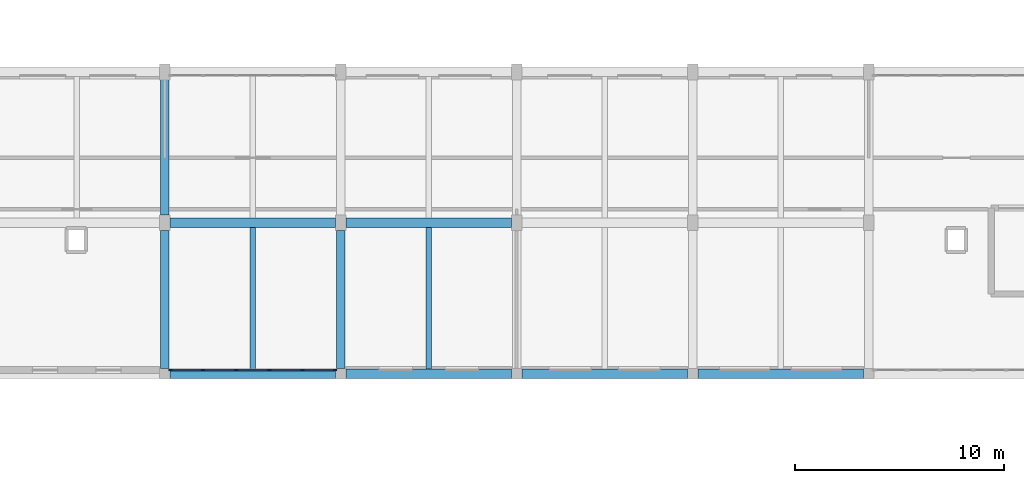
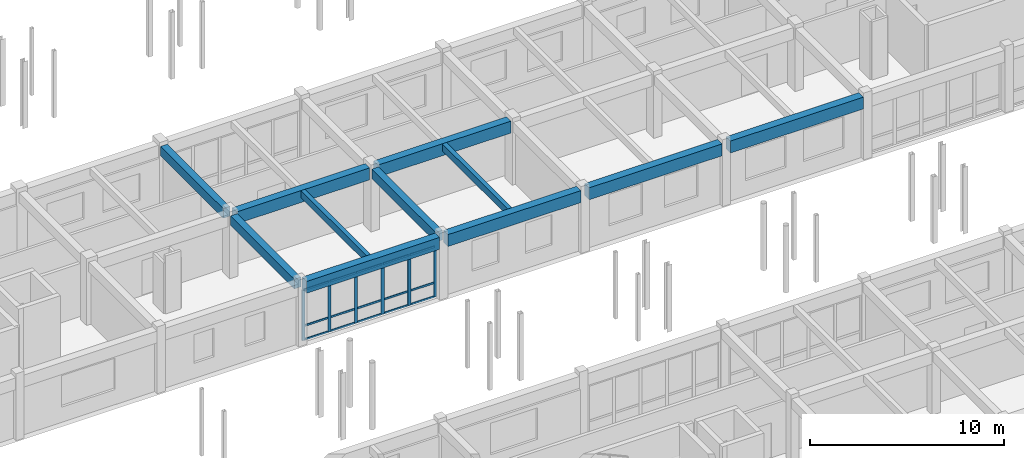
# One storey, part 40 of 90: 21 members, 11 beams, 1 element without a shape of its own.
"""IFC4 building model written with IfcOpenShell, lengths in metres."""

from ifc_helpers import new_model, si_unit, direction, frame, origin, origin_2d, place, context, subcontext, project, spatial, rectangle, extrude, material, material_profile, profile_set, type_object, element, aggregate, save


model = new_model("IFC4")

# Units and contexts
model_context = context("Model", 3, precision=1e-05, world=origin(), true_north=direction((0.0, 1.0)))
body_context = subcontext(model_context, "Body", "Model", "MODEL_VIEW")
ifc_project = project(units=[si_unit("LENGTHUNIT", "METRE"), si_unit("AREAUNIT", "SQUARE_METRE"), si_unit("VOLUMEUNIT", "CUBIC_METRE"), si_unit("PLANEANGLEUNIT", "RADIAN"), si_unit("MASSUNIT", "GRAM", prefix="KILO")], contexts=[model_context])

# Site, building, storey
site_placement = place(None, origin())
site = spatial("IfcSite", under=ifc_project, at=site_placement, CompositionType="ELEMENT")
building_placement = place(site_placement, origin())
building = spatial("IfcBuilding", under=site, at=building_placement, Name="Malvenik Polytechnic", CompositionType="ELEMENT")
storey_placement = place(building_placement, frame((0.0, 0.0, 9.300048828125)))
storey = spatial("IfcBuildingStorey", under=building, at=storey_placement, Name="L02", CompositionType="ELEMENT", Elevation=9.300048828125)

# Curtain wall, members
ifc_material_1 = material(Name="Anodised aluminium 6060-T6", Category="aluminium")
curtain_wall_type = type_object("IfcCurtainWallType", Name="ARC-CW-CW-03", PredefinedType="NOTDEFINED", material=ifc_material_1)
curtain_wall_placement = place(storey_placement, origin())
curtain_wall = element("IfcCurtainWall", 1, at=curtain_wall_placement, inside=storey, type_object=curtain_wall_type, Name="Unitised Curtain Wall CW-03 L02 #151", PredefinedType="NOTDEFINED")
ifc_material_2 = material(Name="Anodised aluminium", Category="aluminium")
ifc_material_profile_1 = material_profile(ifc_material_2, rectangle(XDim=0.06005859375, YDim=0.179931640625, at=origin_2d()), Name="ALU MULLION 60x180")
ifc_profile_set_1 = profile_set([ifc_material_profile_1], Name="Anodised aluminium")
member_type_1 = type_object("IfcMemberType", Name="ARC-CWM-180", PredefinedType="MULLION", material=ifc_profile_set_1)
member_1_placement = place(storey_placement, frame((41.721923828125, 79.3701171875, 0.0), z_axis=(0.0, 0.0, 1.0), x_axis=(0.0, -1.0, 0.0)))
member_1 = element("IfcMember", 2, at=member_1_placement, type_object=member_type_1, Name="CW-03 mullion 1", PredefinedType="MULLION", context=body_context, shape_type="SweptSolid", body=[
    extrude(rectangle(XDim=0.06005859375, YDim=0.179931640625, at=origin_2d()), origin(), (0.0, 0.0, 1.0), 3.179931640625),
])
member_2_placement = place(storey_placement, frame((40.171142578125, 79.3701171875, 0.0), z_axis=(0.0, 0.0, 1.0), x_axis=(0.0, -1.0, 0.0)))
member_2 = element("IfcMember", 3, at=member_2_placement, type_object=member_type_1, Name="CW-03 mullion 2", PredefinedType="MULLION", context=body_context, shape_type="SweptSolid", body=[
    extrude(rectangle(XDim=0.06005859375, YDim=0.179931640625, at=origin_2d()), origin(), (0.0, 0.0, 1.0), 3.179931640625),
])
member_3_placement = place(storey_placement, frame((38.59033203125, 79.3701171875, 0.0), z_axis=(0.0, 0.0, 1.0), x_axis=(0.0, -1.0, 0.0)))
member_3 = element("IfcMember", 4, at=member_3_placement, type_object=member_type_1, Name="CW-03 mullion 3", PredefinedType="MULLION", context=body_context, shape_type="SweptSolid", body=[
    extrude(rectangle(XDim=0.06005859375, YDim=0.179931640625, at=origin_2d()), origin(), (0.0, 0.0, 1.0), 3.179931640625),
])
member_4_placement = place(storey_placement, frame((37.009521484375, 79.3701171875, 0.0), z_axis=(0.0, 0.0, 1.0), x_axis=(0.0, -1.0, 0.0)))
member_4 = element("IfcMember", 5, at=member_4_placement, type_object=member_type_1, Name="CW-03 mullion 4", PredefinedType="MULLION", context=body_context, shape_type="SweptSolid", body=[
    extrude(rectangle(XDim=0.06005859375, YDim=0.179931640625, at=origin_2d()), origin(), (0.0, 0.0, 1.0), 3.179931640625),
])
member_5_placement = place(storey_placement, frame((35.4287109375, 79.3701171875, 0.0), z_axis=(0.0, 0.0, 1.0), x_axis=(0.0, -1.0, 0.0)))
member_5 = element("IfcMember", 6, at=member_5_placement, type_object=member_type_1, Name="CW-03 mullion 5", PredefinedType="MULLION", context=body_context, shape_type="SweptSolid", body=[
    extrude(rectangle(XDim=0.06005859375, YDim=0.179931640625, at=origin_2d()), origin(), (0.0, 0.0, 1.0), 3.179931640625),
])
member_6_placement = place(storey_placement, frame((33.8779296875, 79.3701171875, 0.0), z_axis=(0.0, 0.0, 1.0), x_axis=(0.0, -1.0, 0.0)))
member_6 = element("IfcMember", 7, at=member_6_placement, type_object=member_type_1, Name="CW-03 mullion 6", PredefinedType="MULLION", context=body_context, shape_type="SweptSolid", body=[
    extrude(rectangle(XDim=0.06005859375, YDim=0.179931640625, at=origin_2d()), origin(), (0.0, 0.0, 1.0), 3.179931640625),
])
ifc_material_profile_2 = material_profile(ifc_material_2, rectangle(XDim=0.06005859375, YDim=0.1201171875, at=origin_2d()), Name="ALU TRANSOM 60x120")
ifc_profile_set_2 = profile_set([ifc_material_profile_2], Name="Anodised aluminium")
member_type_2 = type_object("IfcMemberType", Name="ARC-CWT-120", PredefinedType="USERDEFINED", material=ifc_profile_set_2)
member_7_placement = place(storey_placement, frame((41.69189453125, 79.3701171875, 0.030029296875), z_axis=(-1.0, 0.0, 0.0), x_axis=(0.0, -1.0, 0.0)))
member_7 = element("IfcMember", 8, at=member_7_placement, type_object=member_type_2, Name="CW-03 transom 1.1", ObjectType="TRANSOM", PredefinedType="USERDEFINED", context=body_context, shape_type="SweptSolid", body=[
    extrude(rectangle(XDim=0.06005859375, YDim=0.1201171875, at=origin_2d()), origin(), (0.0, 0.0, 1.0), 1.49072265625),
])
member_8_placement = place(storey_placement, frame((41.69189453125, 79.3701171875, 0.89990234375), z_axis=(-1.0, 0.0, 0.0), x_axis=(0.0, -1.0, 0.0)))
member_8 = element("IfcMember", 9, at=member_8_placement, type_object=member_type_2, Name="CW-03 transom 1.2", ObjectType="TRANSOM", PredefinedType="USERDEFINED", context=body_context, shape_type="SweptSolid", body=[
    extrude(rectangle(XDim=0.06005859375, YDim=0.1201171875, at=origin_2d()), origin(), (0.0, 0.0, 1.0), 1.49072265625),
])
member_9_placement = place(storey_placement, frame((41.69189453125, 79.3701171875, 3.14990234375), z_axis=(-1.0, 0.0, 0.0), x_axis=(0.0, -1.0, 0.0)))
member_9 = element("IfcMember", 10, at=member_9_placement, type_object=member_type_2, Name="CW-03 transom 1.3", ObjectType="TRANSOM", PredefinedType="USERDEFINED", context=body_context, shape_type="SweptSolid", body=[
    extrude(rectangle(XDim=0.06005859375, YDim=0.1201171875, at=origin_2d()), origin(), (0.0, 0.0, 1.0), 1.49072265625),
])
member_10_placement = place(storey_placement, frame((40.14111328125, 79.3701171875, 0.030029296875), z_axis=(-1.0, 0.0, 0.0), x_axis=(0.0, -1.0, 0.0)))
member_10 = element("IfcMember", 11, at=member_10_placement, type_object=member_type_2, Name="CW-03 transom 2.1", ObjectType="TRANSOM", PredefinedType="USERDEFINED", context=body_context, shape_type="SweptSolid", body=[
    extrude(rectangle(XDim=0.06005859375, YDim=0.1201171875, at=origin_2d()), origin(), (0.0, 0.0, 1.0), 1.520751953125),
])
member_11_placement = place(storey_placement, frame((40.14111328125, 79.3701171875, 0.89990234375), z_axis=(-1.0, 0.0, 0.0), x_axis=(0.0, -1.0, 0.0)))
member_11 = element("IfcMember", 12, at=member_11_placement, type_object=member_type_2, Name="CW-03 transom 2.2", ObjectType="TRANSOM", PredefinedType="USERDEFINED", context=body_context, shape_type="SweptSolid", body=[
    extrude(rectangle(XDim=0.06005859375, YDim=0.1201171875, at=origin_2d()), origin(), (0.0, 0.0, 1.0), 1.520751953125),
])
member_12_placement = place(storey_placement, frame((40.14111328125, 79.3701171875, 3.14990234375), z_axis=(-1.0, 0.0, 0.0), x_axis=(0.0, -1.0, 0.0)))
member_12 = element("IfcMember", 13, at=member_12_placement, type_object=member_type_2, Name="CW-03 transom 2.3", ObjectType="TRANSOM", PredefinedType="USERDEFINED", context=body_context, shape_type="SweptSolid", body=[
    extrude(rectangle(XDim=0.06005859375, YDim=0.1201171875, at=origin_2d()), origin(), (0.0, 0.0, 1.0), 1.520751953125),
])
member_13_placement = place(storey_placement, frame((38.560302734375, 79.3701171875, 0.030029296875), z_axis=(-1.0, 0.0, 0.0), x_axis=(0.0, -1.0, 0.0)))
member_13 = element("IfcMember", 14, at=member_13_placement, type_object=member_type_2, Name="CW-03 transom 3.1", ObjectType="TRANSOM", PredefinedType="USERDEFINED", context=body_context, shape_type="SweptSolid", body=[
    extrude(rectangle(XDim=0.06005859375, YDim=0.1201171875, at=origin_2d()), origin(), (0.0, 0.0, 1.0), 1.520751953125),
])
member_14_placement = place(storey_placement, frame((38.560302734375, 79.3701171875, 0.89990234375), z_axis=(-1.0, 0.0, 0.0), x_axis=(0.0, -1.0, 0.0)))
member_14 = element("IfcMember", 15, at=member_14_placement, type_object=member_type_2, Name="CW-03 transom 3.2", ObjectType="TRANSOM", PredefinedType="USERDEFINED", context=body_context, shape_type="SweptSolid", body=[
    extrude(rectangle(XDim=0.06005859375, YDim=0.1201171875, at=origin_2d()), origin(), (0.0, 0.0, 1.0), 1.520751953125),
])
member_15_placement = place(storey_placement, frame((38.560302734375, 79.3701171875, 3.14990234375), z_axis=(-1.0, 0.0, 0.0), x_axis=(0.0, -1.0, 0.0)))
member_15 = element("IfcMember", 16, at=member_15_placement, type_object=member_type_2, Name="CW-03 transom 3.3", ObjectType="TRANSOM", PredefinedType="USERDEFINED", context=body_context, shape_type="SweptSolid", body=[
    extrude(rectangle(XDim=0.06005859375, YDim=0.1201171875, at=origin_2d()), origin(), (0.0, 0.0, 1.0), 1.520751953125),
])
member_16_placement = place(storey_placement, frame((36.9794921875, 79.3701171875, 0.030029296875), z_axis=(-1.0, 0.0, 0.0), x_axis=(0.0, -1.0, 0.0)))
member_16 = element("IfcMember", 17, at=member_16_placement, type_object=member_type_2, Name="CW-03 transom 4.1", ObjectType="TRANSOM", PredefinedType="USERDEFINED", context=body_context, shape_type="SweptSolid", body=[
    extrude(rectangle(XDim=0.06005859375, YDim=0.1201171875, at=origin_2d()), origin(), (0.0, 0.0, 1.0), 1.520751953125),
])
member_17_placement = place(storey_placement, frame((36.9794921875, 79.3701171875, 0.89990234375), z_axis=(-1.0, 0.0, 0.0), x_axis=(0.0, -1.0, 0.0)))
member_17 = element("IfcMember", 18, at=member_17_placement, type_object=member_type_2, Name="CW-03 transom 4.2", ObjectType="TRANSOM", PredefinedType="USERDEFINED", context=body_context, shape_type="SweptSolid", body=[
    extrude(rectangle(XDim=0.06005859375, YDim=0.1201171875, at=origin_2d()), origin(), (0.0, 0.0, 1.0), 1.520751953125),
])
member_18_placement = place(storey_placement, frame((36.9794921875, 79.3701171875, 3.14990234375), z_axis=(-1.0, 0.0, 0.0), x_axis=(0.0, -1.0, 0.0)))
member_18 = element("IfcMember", 19, at=member_18_placement, type_object=member_type_2, Name="CW-03 transom 4.3", ObjectType="TRANSOM", PredefinedType="USERDEFINED", context=body_context, shape_type="SweptSolid", body=[
    extrude(rectangle(XDim=0.06005859375, YDim=0.1201171875, at=origin_2d()), origin(), (0.0, 0.0, 1.0), 1.520751953125),
])
member_19_placement = place(storey_placement, frame((35.398681640625, 79.3701171875, 0.030029296875), z_axis=(-1.0, 0.0, 0.0), x_axis=(0.0, -1.0, 0.0)))
member_19 = element("IfcMember", 20, at=member_19_placement, type_object=member_type_2, Name="CW-03 transom 5.1", ObjectType="TRANSOM", PredefinedType="USERDEFINED", context=body_context, shape_type="SweptSolid", body=[
    extrude(rectangle(XDim=0.06005859375, YDim=0.1201171875, at=origin_2d()), origin(), (0.0, 0.0, 1.0), 1.49072265625),
])
member_20_placement = place(storey_placement, frame((35.398681640625, 79.3701171875, 0.89990234375), z_axis=(-1.0, 0.0, 0.0), x_axis=(0.0, -1.0, 0.0)))
member_20 = element("IfcMember", 21, at=member_20_placement, type_object=member_type_2, Name="CW-03 transom 5.2", ObjectType="TRANSOM", PredefinedType="USERDEFINED", context=body_context, shape_type="SweptSolid", body=[
    extrude(rectangle(XDim=0.06005859375, YDim=0.1201171875, at=origin_2d()), origin(), (0.0, 0.0, 1.0), 1.49072265625),
])
member_21_placement = place(storey_placement, frame((35.398681640625, 79.3701171875, 3.14990234375), z_axis=(-1.0, 0.0, 0.0), x_axis=(0.0, -1.0, 0.0)))
member_21 = element("IfcMember", 22, at=member_21_placement, type_object=member_type_2, Name="CW-03 transom 5.3", ObjectType="TRANSOM", PredefinedType="USERDEFINED", context=body_context, shape_type="SweptSolid", body=[
    extrude(rectangle(XDim=0.06005859375, YDim=0.1201171875, at=origin_2d()), origin(), (0.0, 0.0, 1.0), 1.49072265625),
])
aggregate(curtain_wall, [member_1, member_2, member_3, member_4, member_5, member_6, member_7, member_8, member_9, member_10, member_11, member_12, member_13, member_14, member_15, member_16, member_17, member_18, member_19, member_20, member_21])

# Beams
ifc_material_3 = material(Name="Concrete C35/45", Category="concrete")
ifc_material_profile_3 = material_profile(ifc_material_3, rectangle(XDim=0.449951171875, YDim=0.75, at=origin_2d()), Name="RC BM 450x750")
ifc_profile_set_3 = profile_set([ifc_material_profile_3], Name="Concrete C35/45")
beam_type_1 = type_object("IfcBeamType", Name="STR-BM-B-03", PredefinedType="BEAM", material=ifc_profile_set_3)
for number, where, z_axis, x_axis, name in (
    (23, (33.847900390625, 86.39990234375, 3.56494140625), (1.0, 0.0, 0.0), (0.0, 1.0, 0.0), "Primary Beam B-03 L02 #1394"),
    (24, (42.248046875, 86.39990234375, 3.56494140625), (1.0, 0.0, 0.0), (0.0, 1.0, 0.0), "Primary Beam B-03 L02 #1395"),
):
    element("IfcBeam", number, at=place(storey_placement, frame(where, z_axis=z_axis, x_axis=x_axis)), inside=storey, type_object=beam_type_1, Name=name, PredefinedType="BEAM", context=body_context, shape_type="SweptSolid", body=[
        extrude(rectangle(XDim=0.449951171875, YDim=0.75, at=origin_2d()), origin(), (0.0, 0.0, 1.0), 7.904052734375),
    ])
ifc_material_profile_4 = material_profile(ifc_material_3, rectangle(XDim=0.39990234375, YDim=0.60009765625, at=origin_2d()), Name="RC BM 400x600")
ifc_profile_set_4 = profile_set([ifc_material_profile_4], Name="Concrete C35/45")
beam_type_2 = type_object("IfcBeamType", Name="STR-BM-B-06", PredefinedType="BEAM", material=ifc_profile_set_4)
beam_1_placement = place(storey_placement, frame((33.60009765625, 79.447998046875, 3.639892578125), z_axis=(0.0, 1.0, 0.0), x_axis=(-1.0, 0.0, 0.0)))
element("IfcBeam", 25, at=beam_1_placement, inside=storey, type_object=beam_type_2, Name="Transverse Beam B-06 L02 #1483", PredefinedType="BEAM", context=body_context, shape_type="SweptSolid", body=[
    extrude(rectangle(XDim=0.39990234375, YDim=0.60009765625, at=origin_2d()), origin(), (0.0, 0.0, 1.0), 6.5791015625),
])
beam_2_placement = place(storey_placement, frame((33.60009765625, 86.77294921875, 3.639892578125), z_axis=(0.0, 1.0, 0.0), x_axis=(-1.0, 0.0, 0.0)))
element("IfcBeam", 26, at=beam_2_placement, inside=storey, type_object=beam_type_2, Name="Transverse Beam B-06 L02 #1484", PredefinedType="BEAM", context=body_context, shape_type="SweptSolid", body=[
    extrude(rectangle(XDim=0.39990234375, YDim=0.60009765625, at=origin_2d()), origin(), (0.0, 0.0, 1.0), 6.4541015625),
])
beam_3_placement = place(storey_placement, frame((42.0, 79.447998046875, 3.639892578125), z_axis=(0.0, 1.0, 0.0), x_axis=(-1.0, 0.0, 0.0)))
element("IfcBeam", 27, at=beam_3_placement, inside=storey, type_object=beam_type_2, Name="Transverse Beam B-06 L02 #1487", PredefinedType="BEAM", context=body_context, shape_type="SweptSolid", body=[
    extrude(rectangle(XDim=0.39990234375, YDim=0.60009765625, at=origin_2d()), origin(), (0.0, 0.0, 1.0), 6.5791015625),
])
ifc_material_4 = material(Name="Concrete C30/37", Category="concrete")
ifc_material_profile_5 = material_profile(ifc_material_4, rectangle(XDim=0.25, YDim=0.449951171875, at=origin_2d()), Name="RC JST 250x450")
ifc_profile_set_5 = profile_set([ifc_material_profile_5], Name="Concrete C30/37")
beam_type_3 = type_object("IfcBeamType", Name="STR-BM-J-02", PredefinedType="JOIST", material=ifc_profile_set_5)
for number, where, z_axis, x_axis, name in (
    (28, (37.800048828125, 79.427978515625, 3.71484375), (0.0, 1.0, 0.0), (-1.0, 0.0, 0.0), "Secondary Rib Joist J-02 L02 #1571"),
    (29, (46.199951171875, 79.427978515625, 3.71484375), (0.0, 1.0, 0.0), (-1.0, 0.0, 0.0), "Secondary Rib Joist J-02 L02 #1575"),
):
    element("IfcBeam", number, at=place(storey_placement, frame(where, z_axis=z_axis, x_axis=x_axis)), inside=storey, type_object=beam_type_3, Name=name, PredefinedType="JOIST", context=body_context, shape_type="SweptSolid", body=[
        extrude(rectangle(XDim=0.25, YDim=0.449951171875, at=origin_2d()), origin(), (0.0, 0.0, 1.0), 6.7490234375),
    ])
ifc_material_5 = material(Name="Precast concrete C40/50", Category="concrete")
ifc_material_profile_6 = material_profile(ifc_material_5, rectangle(XDim=0.4599609375, YDim=0.75, at=origin_2d()), Name="PC SPN 460x750")
ifc_profile_set_6 = profile_set([ifc_material_profile_6], Name="Precast concrete C40/50")
beam_type_4 = type_object("IfcBeamType", Name="STR-BM-SP-02", PredefinedType="SPANDREL", material=ifc_profile_set_6)
for number, where, z_axis, x_axis, name in (
    (30, (33.847900390625, 79.199951171875, 3.56494140625), (1.0, 0.0, 0.0), (0.0, 1.0, 0.0), "Primary Beam SP-02 L02 #1380"),
    (31, (42.248046875, 79.199951171875, 3.56494140625), (1.0, 0.0, 0.0), (0.0, 1.0, 0.0), "Primary Beam SP-02 L02 #1381"),
    (32, (50.64794921875, 79.199951171875, 3.56494140625), (1.0, 0.0, 0.0), (0.0, 1.0, 0.0), "Primary Beam SP-02 L02 #1382"),
):
    element("IfcBeam", number, at=place(storey_placement, frame(where, z_axis=z_axis, x_axis=x_axis)), inside=storey, type_object=beam_type_4, Name=name, PredefinedType="SPANDREL", context=body_context, shape_type="SweptSolid", body=[
        extrude(rectangle(XDim=0.4599609375, YDim=0.75, at=origin_2d()), origin(), (0.0, 0.0, 1.0), 7.904052734375),
    ])
beam_4_placement = place(storey_placement, frame((59.048095703125, 79.199951171875, 3.56494140625), z_axis=(1.0, 0.0, 0.0), x_axis=(0.0, 1.0, 0.0)))
element("IfcBeam", 33, at=beam_4_placement, inside=storey, type_object=beam_type_4, Name="Primary Beam SP-02 L02 #1383", PredefinedType="SPANDREL", context=body_context, shape_type="SweptSolid", body=[
    extrude(rectangle(XDim=0.4599609375, YDim=0.75, at=origin_2d()), origin(), (0.0, 0.0, 1.0), 7.90380859375),
])

save(model, "model.ifc")
